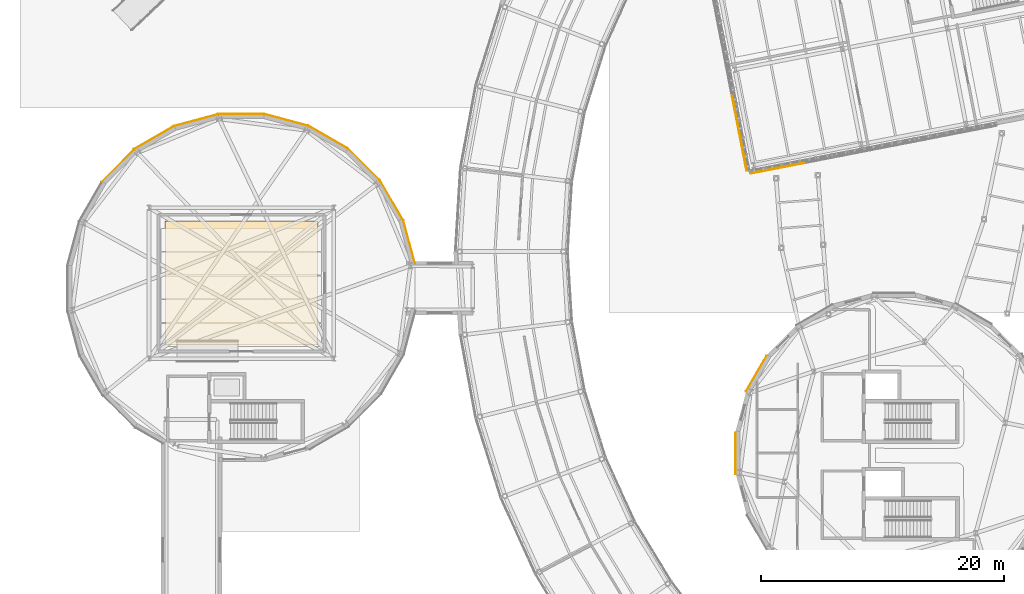
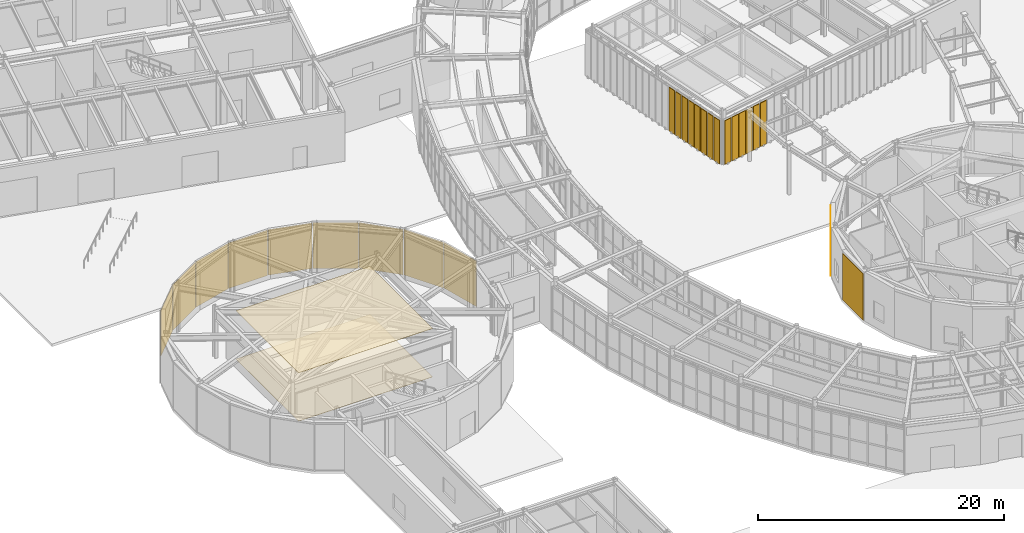
# One storey, part 85 of 97: 14 shading devices, 13 coverings.
"""IFC4 building model written with IfcOpenShell, lengths in metres."""

from ifc_helpers import new_model, si_unit, direction, frame, origin, origin_2d, place, context, subcontext, project, spatial, polyline, rectangle, outline, extrude, material, layer, layer_set, type_object, element, save


model = new_model("IFC4")

# Units and contexts
model_context = context("Model", 3, precision=1e-05, world=origin(), true_north=direction((0.0, 1.0)))
body_context = subcontext(model_context, "Body", "Model", "MODEL_VIEW")
ifc_project = project(units=[si_unit("LENGTHUNIT", "METRE"), si_unit("AREAUNIT", "SQUARE_METRE"), si_unit("VOLUMEUNIT", "CUBIC_METRE"), si_unit("PLANEANGLEUNIT", "RADIAN"), si_unit("MASSUNIT", "GRAM", prefix="KILO")], contexts=[model_context])

# Site, building, storey
site_placement = place(None, origin())
site = spatial("IfcSite", under=ifc_project, at=site_placement, CompositionType="ELEMENT")
building_placement = place(site_placement, origin())
building = spatial("IfcBuilding", under=site, at=building_placement, Name="Varnklinge Art Gallery", CompositionType="ELEMENT")
storey_placement = place(building_placement, origin())
storey = spatial("IfcBuildingStorey", under=building, at=storey_placement, Name="L00", CompositionType="ELEMENT", Elevation=0.0)

# Coverings
ifc_material_1 = material(Name="Oxide Terracotta Panel", Category="masonry")
ifc_layer_1 = layer(ifc_material_1, 0.034912109375)
ifc_layer_set_1 = layer_set([ifc_layer_1], Name="Oxide Terracotta Panel")
covering_type_1 = type_object("IfcCoveringType", Name="CLD-TER", PredefinedType="CLADDING", material=ifc_layer_set_1)
covering_1_placement = place(storey_placement, frame((11.628662109375, 62.0439453125, 0.14990234375), z_axis=(0.0, 0.0, 1.0), x_axis=(0.707106781187, 0.707106781187, 0.0)))
element("IfcCovering", 1, at=covering_1_placement, inside=storey, type_object=covering_type_1, Name="L00 Oxide Terracotta Drum Cladding EW-V3-L00-14", PredefinedType="CLADDING", context=body_context, shape_type="SweptSolid", body=[
    extrude(rectangle(XDim=3.691650390625, YDim=0.034912109375, at=origin_2d()), origin(), (0.0, 0.0, 1.0), 4.52001953125),
])
covering_2_placement = place(storey_placement, frame((14.574951171875, 64.334228515625, 0.14990234375), z_axis=(0.0, 0.0, 1.0), x_axis=(0.866025403784, 0.5, 0.0)))
element("IfcCovering", 2, at=covering_2_placement, inside=storey, type_object=covering_type_1, Name="L00 Oxide Terracotta Drum Cladding EW-V3-L00-15", PredefinedType="CLADDING", context=body_context, shape_type="SweptSolid", body=[
    extrude(rectangle(XDim=3.69189453125, YDim=0.034912109375, at=origin_2d()), origin(), (0.0, 0.0, 1.0), 4.52001953125),
])
covering_3_placement = place(storey_placement, frame((18.013427734375, 65.783935546875, 0.14990234375), z_axis=(0.0, 0.0, 1.0), x_axis=(0.965925826289, 0.258819045103, 0.0)))
element("IfcCovering", 3, at=covering_3_placement, inside=storey, type_object=covering_type_1, Name="L00 Oxide Terracotta Drum Cladding EW-V3-L00-16", PredefinedType="CLADDING", context=body_context, shape_type="SweptSolid", body=[
    extrude(rectangle(XDim=3.691650390625, YDim=0.034912109375, at=origin_2d()), origin(), (0.0, 0.0, 1.0), 4.52001953125),
])
covering_4_placement = place(storey_placement, frame((21.7099609375, 66.294189453125, 0.14990234375), z_axis=(0.0, 0.0, 1.0), x_axis=(1.0, 0.0, 0.0)))
element("IfcCovering", 4, at=covering_4_placement, inside=storey, type_object=covering_type_1, Name="L00 Oxide Terracotta Drum Cladding EW-V3-L00-17", PredefinedType="CLADDING", context=body_context, shape_type="SweptSolid", body=[
    extrude(rectangle(XDim=3.69189453125, YDim=0.034912109375, at=origin_2d()), origin(), (0.0, 0.0, 1.0), 4.52001953125),
])
covering_5_placement = place(storey_placement, frame((25.41259765625, 65.83056640625, 0.14990234375), z_axis=(0.0, 0.0, 1.0), x_axis=(0.965925826289, -0.258819045103, 0.0)))
element("IfcCovering", 5, at=covering_5_placement, inside=storey, type_object=covering_type_1, Name="L00 Oxide Terracotta Drum Cladding EW-V3-L00-18", PredefinedType="CLADDING", context=body_context, shape_type="SweptSolid", body=[
    extrude(rectangle(XDim=3.691650390625, YDim=0.034912109375, at=origin_2d()), origin(), (0.0, 0.0, 1.0), 4.52001953125),
])
covering_6_placement = place(storey_placement, frame((28.869140625, 64.42431640625, 0.14990234375), z_axis=(0.0, 0.0, 1.0), x_axis=(0.866025403784, -0.5, 0.0)))
element("IfcCovering", 6, at=covering_6_placement, inside=storey, type_object=covering_type_1, Name="L00 Oxide Terracotta Drum Cladding EW-V3-L00-19", PredefinedType="CLADDING", context=body_context, shape_type="SweptSolid", body=[
    extrude(rectangle(XDim=3.69189453125, YDim=0.034912109375, at=origin_2d()), origin(), (0.0, 0.0, 1.0), 4.52001953125),
])
covering_7_placement = place(storey_placement, frame((31.843994140625, 62.17138671875, 0.14990234375), z_axis=(0.0, 0.0, 1.0), x_axis=(0.707106781187, -0.707106781187, 0.0)))
element("IfcCovering", 7, at=covering_7_placement, inside=storey, type_object=covering_type_1, Name="L00 Oxide Terracotta Drum Cladding EW-V3-L00-20", PredefinedType="CLADDING", context=body_context, shape_type="SweptSolid", body=[
    extrude(rectangle(XDim=3.691650390625, YDim=0.034912109375, at=origin_2d()), origin(), (0.0, 0.0, 1.0), 4.52001953125),
])
covering_8_placement = place(storey_placement, frame((34.13427734375, 59.22509765625, 0.14990234375), z_axis=(0.0, 0.0, 1.0), x_axis=(0.5, -0.866025403784, 0.0)))
element("IfcCovering", 8, at=covering_8_placement, inside=storey, type_object=covering_type_1, Name="L00 Oxide Terracotta Drum Cladding EW-V3-L00-21", PredefinedType="CLADDING", context=body_context, shape_type="SweptSolid", body=[
    extrude(rectangle(XDim=3.69189453125, YDim=0.034912109375, at=origin_2d()), origin(), (0.0, 0.0, 1.0), 4.52001953125),
])
covering_9_placement = place(storey_placement, frame((35.580810546875, 55.798583984375, 0.14990234375), z_axis=(0.0, 0.0, 1.0), x_axis=(0.258819045103, -0.965925826289, 0.0)))
element("IfcCovering", 9, at=covering_9_placement, inside=storey, type_object=covering_type_1, Name="L00 Oxide Terracotta Drum Cladding EW-V3-L00-22", PredefinedType="CLADDING", context=body_context, shape_type="SweptSolid", body=[
    extrude(rectangle(XDim=3.666748046875, YDim=0.034912109375, at=origin_2d()), origin(), (0.0, 0.0, 1.0), 4.52001953125),
])
ifc_material_2 = material(Name="Pre-weathered Zinc", Category="metal")
ifc_layer_2 = layer(ifc_material_2, 0.02490234375)
ifc_layer_set_2 = layer_set([ifc_layer_2], Name="Pre-weathered Zinc")
covering_type_2 = type_object("IfcCoveringType", Name="CLD-ZNC", PredefinedType="CLADDING", material=ifc_layer_set_2)
covering_10_placement = place(storey_placement, frame((62.400390625, 38.409912109375, 0.02734375), z_axis=(0.0, 0.0, 1.0), x_axis=(0.0, 1.0, 0.0)))
element("IfcCovering", 10, at=covering_10_placement, inside=storey, type_object=covering_type_2, Name="L00 Brushed Zinc Drum Cladding EW-V4D-L00-12", PredefinedType="CLADDING", context=body_context, shape_type="SweptSolid", body=[
    extrude(rectangle(XDim=3.3984375, YDim=0.02490234375, at=origin_2d()), origin(), (0.0, 0.0, 1.0), 4.6298828125),
])
covering_11_placement = place(storey_placement, frame((64.1103515625, 44.9716796875, 0.02734375), z_axis=(0.0, 0.0, 1.0), x_axis=(0.5, 0.866025403784, 0.0)))
element("IfcCovering", 11, at=covering_11_placement, inside=storey, type_object=covering_type_2, Name="L00 Brushed Zinc Drum Cladding EW-V4D-L00-14", PredefinedType="CLADDING", context=body_context, shape_type="SweptSolid", body=[
    extrude(rectangle(XDim=3.398681640625, YDim=0.02490234375, at=origin_2d()), origin(), (0.0, 0.0, 1.0), 4.6298828125),
])
ifc_material_3 = material(Name="Acoustic Mineral Tile", Category="mineral")
ifc_layer_3 = layer(ifc_material_3, 0.02490234375)
ifc_layer_set_3 = layer_set([ifc_layer_3], Name="Acoustic Mineral Tile")
covering_type_3 = type_object("IfcCoveringType", Name="CLG-AC", PredefinedType="CEILING", material=ifc_layer_set_3)
covering_12_placement = place(storey_placement, frame((0.0, 0.0, 4.794921875)))
element("IfcCovering", 12, at=covering_12_placement, inside=storey, type_object=covering_type_3, Name="L00 Acoustic Mineral Ceiling 009", PredefinedType="CEILING", context=body_context, shape_type="SweptSolid", body=[
    extrude(outline(polyline([(28.10009765625, 57.5), (15.5, 57.5), (15.5, 47.300048828125), (28.10009765625, 47.300048828125), (28.10009765625, 57.5)])), origin(), (0.0, 0.0, 1.0), 0.025146484375),
])
ifc_material_4 = material(Name="Polished Terrazzo Flooring", Category="stone")
ifc_layer_4 = layer(ifc_material_4, 0.02001953125)
ifc_layer_set_4 = layer_set([ifc_layer_4], Name="Polished Terrazzo Flooring")
covering_type_4 = type_object("IfcCoveringType", Name="FLR-STN", PredefinedType="FLOORING", material=ifc_layer_set_4)
covering_13_placement = place(storey_placement, origin())
element("IfcCovering", 13, at=covering_13_placement, inside=storey, type_object=covering_type_4, Name="L00 Gallery Terrazzo Flooring 009", PredefinedType="FLOORING", context=body_context, shape_type="SweptSolid", body=[
    extrude(outline(polyline([(28.10009765625, 57.5), (15.5, 57.5), (15.5, 47.300048828125), (28.10009765625, 47.300048828125), (28.10009765625, 57.5)])), origin(), (0.0, 0.0, 1.0), 0.02001953125),
])

# Shading devices
ifc_material_5 = material(Name="Perforated Aluminium-Precast Lattice", Category="concrete")
ifc_layer_5 = layer(ifc_material_5, 0.06005859375)
ifc_layer_set_5 = layer_set([ifc_layer_5], Name="Perforated Aluminium-Precast Lattice")
shading_device_type = type_object("IfcShadingDeviceType", Name="SHD-LAT", PredefinedType="USERDEFINED", material=ifc_layer_set_5)
for number, where, z_axis, x_axis, name in (
    (14, (63.974609375, 61.478515625, 0.099853515625), (0.0, 0.0, 1.0), (0.981627183448, 0.190808995377, 0.0), "L00 Perforated Lattice Screen 1.1.1"),
    (15, (64.727294921875, 61.624755859375, 0.099853515625), (0.0, 0.0, 1.0), (0.981627183448, 0.190808995377, 0.0), "L00 Perforated Lattice Screen 1.1.2"),
    (16, (65.479736328125, 61.77099609375, 0.099853515625), (0.0, 0.0, 1.0), (0.981627183448, 0.190808995377, 0.0), "L00 Perforated Lattice Screen 1.1.3"),
    (17, (66.232421875, 61.917236328125, 0.099853515625), (0.0, 0.0, 1.0), (0.981627183448, 0.190808995377, 0.0), "L00 Perforated Lattice Screen 1.1.4"),
    (18, (66.98486328125, 62.0634765625, 0.099853515625), (0.0, 0.0, 1.0), (0.981627183448, 0.190808995377, 0.0), "L00 Perforated Lattice Screen 1.1.5"),
    (19, (67.737548828125, 62.209716796875, 0.099853515625), (0.0, 0.0, 1.0), (0.981627183448, 0.190808995377, 0.0), "L00 Perforated Lattice Screen 1.1.6"),
    (20, (62.195556640625, 67.468994140625, 0.099853515625), (0.0, 0.0, 1.0), (0.190808995377, -0.981627183448, 0.0), "L00 Perforated Lattice Screen 4.2.7"),
    (21, (62.34814453125, 66.68359375, 0.099853515625), (0.0, 0.0, 1.0), (0.190808995377, -0.981627183448, 0.0), "L00 Perforated Lattice Screen 4.3.1"),
    (22, (62.500732421875, 65.8984375, 0.099853515625), (0.0, 0.0, 1.0), (0.190808995377, -0.981627183448, 0.0), "L00 Perforated Lattice Screen 4.3.2"),
    (23, (62.6533203125, 65.113037109375, 0.099853515625), (0.0, 0.0, 1.0), (0.190808995377, -0.981627183448, 0.0), "L00 Perforated Lattice Screen 4.3.3"),
    (24, (62.80615234375, 64.327880859375, 0.099853515625), (0.0, 0.0, 1.0), (0.190808995377, -0.981627183448, 0.0), "L00 Perforated Lattice Screen 4.3.4"),
    (25, (62.958740234375, 63.54248046875, 0.099853515625), (0.0, 0.0, 1.0), (0.190808995377, -0.981627183448, 0.0), "L00 Perforated Lattice Screen 4.3.5"),
    (26, (63.111328125, 62.757080078125, 0.099853515625), (0.0, 0.0, 1.0), (0.190808995377, -0.981627183448, 0.0), "L00 Perforated Lattice Screen 4.3.6"),
    (27, (63.263916015625, 61.971923828125, 0.099853515625), (0.0, 0.0, 1.0), (0.190808995377, -0.981627183448, 0.0), "L00 Perforated Lattice Screen 4.3.7"),
):
    element("IfcShadingDevice", number, at=place(storey_placement, frame(where, z_axis=z_axis, x_axis=x_axis)), inside=storey, type_object=shading_device_type, Name=name, ObjectType="LATTICE SCREEN", PredefinedType="USERDEFINED", context=body_context, shape_type="SweptSolid", body=[
        extrude(rectangle(XDim=0.679931640625, YDim=0.06005859375, at=origin_2d()), origin(), (0.0, 0.0, 1.0), 4.330078125),
    ])

save(model, "model.ifc")
